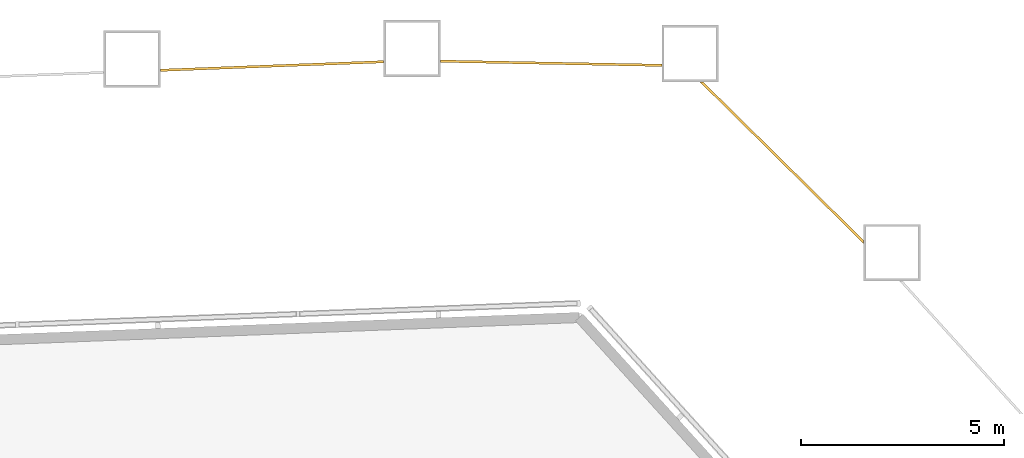
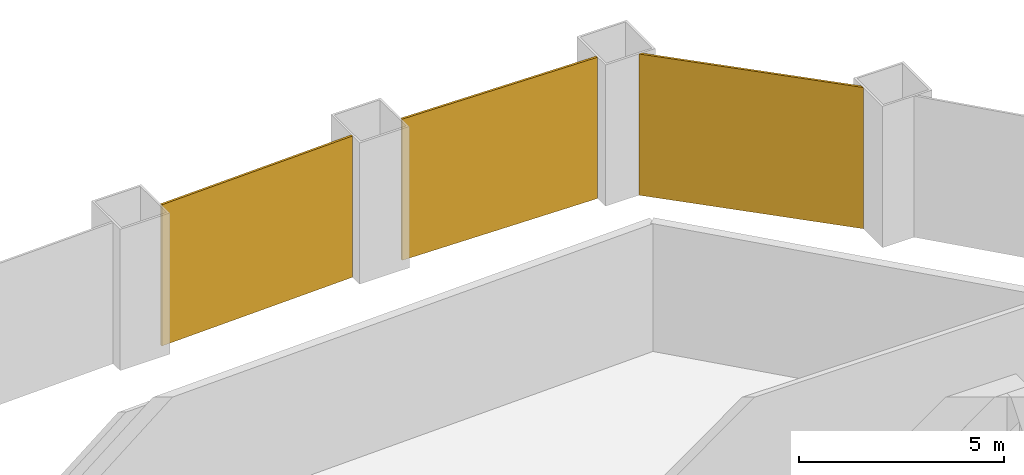
# One storey, part 18 of 18: 3 coverings.
"""IFC4 building model written with IfcOpenShell, lengths in metres."""

from ifc_helpers import new_model, si_unit, direction, frame, origin, place, context, subcontext, project, spatial, polyline, outline, extrude, material, layer, layer_set, type_object, element, save


model = new_model("IFC4")

# Units and contexts
model_context = context("Model", 3, precision=1e-05, world=origin(), true_north=direction((0.0, 1.0)))
body_context = subcontext(model_context, "Body", "Model", "MODEL_VIEW")
ifc_project = project(units=[si_unit("LENGTHUNIT", "METRE"), si_unit("AREAUNIT", "SQUARE_METRE"), si_unit("VOLUMEUNIT", "CUBIC_METRE"), si_unit("PLANEANGLEUNIT", "RADIAN"), si_unit("MASSUNIT", "GRAM", prefix="KILO")], contexts=[model_context])

# Site, building, storey
site_placement = place(None, origin())
site = spatial("IfcSite", under=ifc_project, at=site_placement, CompositionType="ELEMENT")
building_placement = place(site_placement, origin())
building = spatial("IfcBuilding", under=site, at=building_placement, Name="Dongbaek Canopy Tower", CompositionType="ELEMENT")
storey_placement = place(building_placement, frame((0.0, 0.0, 367.39990234375)))
storey = spatial("IfcBuildingStorey", under=building, at=storey_placement, Name="L79", CompositionType="ELEMENT", Elevation=367.39990234375)

# Coverings
ifc_material = material(Name="Perforated pale metal")
ifc_layer = layer(ifc_material, 0.06005859375)
ifc_layer_set = layer_set([ifc_layer], Name="Crown plant screen")
covering_type = type_object("IfcCoveringType", Name="Crown plant screen", PredefinedType="CLADDING", material=ifc_layer_set)
covering_1_placement = place(storey_placement, origin())
element("IfcCovering", 1, at=covering_1_placement, inside=storey, type_object=covering_type, Name="Crown plant screen 17 L79", PredefinedType="CLADDING", context=body_context, shape_type="SweptSolid", body=[
    extrude(outline(polyline([(16.575927734375, 22.9775390625), (16.575927734375, 22.893310546875), (12.553466796875, 26.863037109375), (12.638916015625, 26.863037109375), (16.575927734375, 22.9775390625)])), origin(), (0.0, 0.0, 1.0), 4.2001953125),
])
covering_2_placement = place(storey_placement, origin())
element("IfcCovering", 2, at=covering_2_placement, inside=storey, type_object=covering_type, Name="Crown plant screen 18 L79", PredefinedType="CLADDING", context=body_context, shape_type="SweptSolid", body=[
    extrude(outline(polyline([(11.614013671875, 27.30615234375), (11.614013671875, 27.24609375), (6.1708984375, 27.3486328125), (6.1708984375, 27.40869140625), (11.614013671875, 27.30615234375)])), origin(), (0.0, 0.0, 1.0), 4.2001953125),
])
covering_3_placement = place(storey_placement, origin())
element("IfcCovering", 3, at=covering_3_placement, inside=storey, type_object=covering_type, Name="Crown plant screen 19 L79", PredefinedType="CLADDING", context=body_context, shape_type="SweptSolid", body=[
    extrude(outline(polyline([(4.77099609375, 27.39501953125), (4.77099609375, 27.3349609375), (-0.718017578125, 27.12451171875), (-0.718017578125, 27.1845703125), (4.77099609375, 27.39501953125)])), origin(), (0.0, 0.0, 1.0), 4.2001953125),
])

save(model, "model.ifc")
